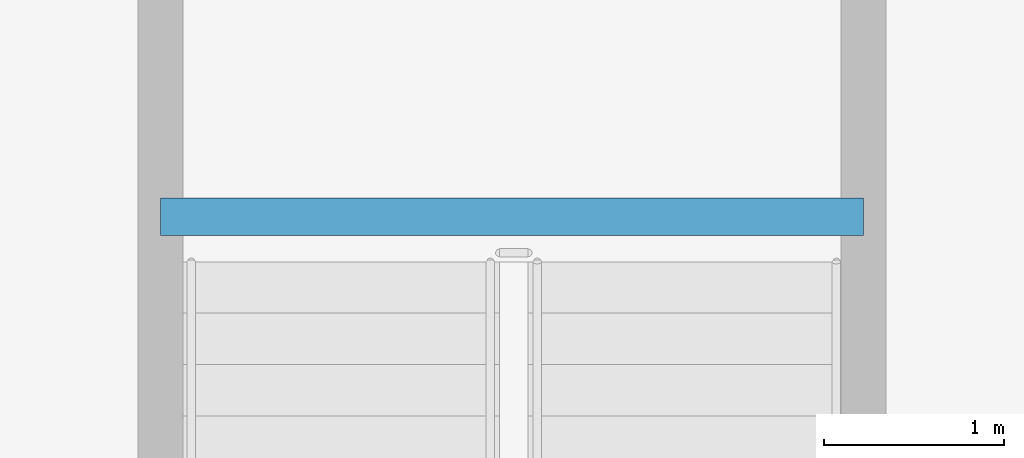
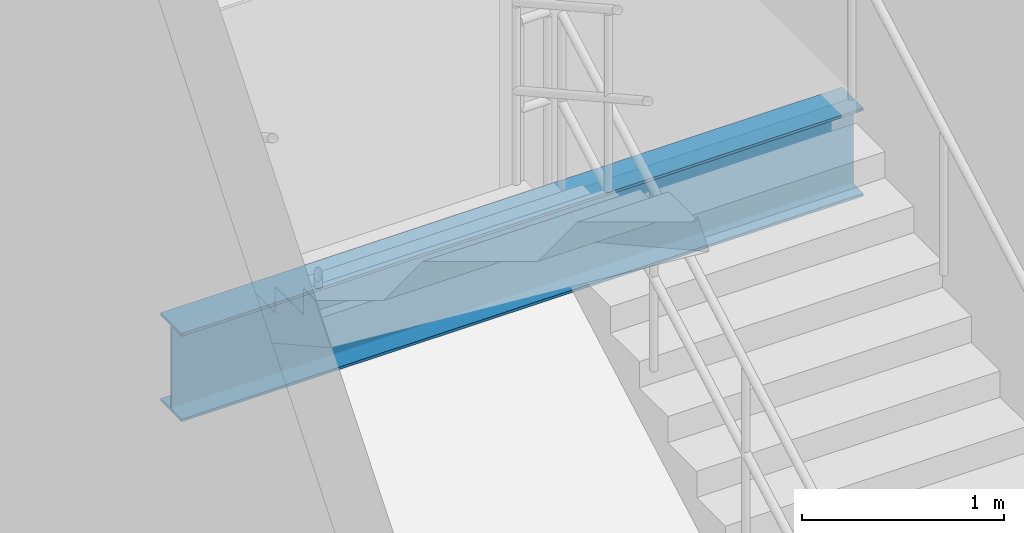
# One storey, part 21 of 87: 1 beam.
"""IFC4 building model written with IfcOpenShell, lengths in metres."""

import ifcopenshell
import ifcopenshell.guid

model = None  # the IFC model being written
_history = None  # IfcOwnerHistory: only IFC2X3 demands one
_inside = {}  # id of a spatial element -> (the spatial element, [elements in it])
_under = {}  # id of a project, library or spatial element -> (it, [spatial elements below it])
_declared = {}  # id of a project -> (the project, [libraries it declares])
_typed = {}  # id of a type object -> (the type object, [elements of that type])
_made_of = {}  # id of a material, layer set ... -> (it, [elements and type objects made of it])


def new_model(schema):
    """Start an empty IFC model of exactly this schema.

    Asked for "IFC4X3", IfcOpenShell would pick the latest addendum, in which some entities
    have other attributes; the version numbers below select the first issue.
    IFC2X3 requires an IfcOwnerHistory on every rooted entity: one is made here for all.
    """
    global model, _history
    if schema == "IFC4X3":
        model = ifcopenshell.file(schema_version=(4, 3, 0, 0))
    else:
        model = ifcopenshell.file(schema=schema)
    _inside.clear()
    _under.clear()
    _declared.clear()
    _typed.clear()
    _made_of.clear()
    _history = None
    if model.schema == "IFC2X3":
        org = make("IfcOrganization", Name="unknown")
        user = make(
            "IfcPersonAndOrganization",
            ThePerson=make("IfcPerson", FamilyName="unknown"),
            TheOrganization=org,
        )
        app = make(
            "IfcApplication",
            ApplicationDeveloper=org,
            Version="unknown",
            ApplicationFullName="unknown",
            ApplicationIdentifier="unknown",
        )
        _history = make(
            "IfcOwnerHistory",
            OwningUser=user,
            OwningApplication=app,
            ChangeAction="ADDED",
            CreationDate=0,
        )
    return model


def make(cls, **values):
    """One entity of the class cls with the attributes given. An attribute that is None is left unset."""
    return model.create_entity(
        cls, **{name: value for name, value in values.items() if value is not None}
    )


def rooted(cls, **values):
    """An entity with a GlobalId (a new one), such as an element, a storey or a relation."""
    return make(cls, GlobalId=ifcopenshell.guid.new(), OwnerHistory=_history, **values)


def si_unit(unit_type, name, prefix=None):
    """IfcSIUnit, for example si_unit("LENGTHUNIT", "METRE", prefix="MILLI")."""
    return make("IfcSIUnit", UnitType=unit_type, Prefix=prefix, Name=name)


def assignment(units):
    """IfcUnitAssignment: the units of a project."""
    return None if units is None else make("IfcUnitAssignment", Units=units)


def point(xyz):
    """IfcCartesianPoint."""
    return None if xyz is None else make("IfcCartesianPoint", Coordinates=xyz)


def direction(xyz):
    """IfcDirection."""
    return None if xyz is None else make("IfcDirection", DirectionRatios=xyz)


def frame(location, z_axis=None, x_axis=None):
    """IfcAxis2Placement3D, a coordinate frame: its origin and axes. An axis left out is left unset."""
    return make(
        "IfcAxis2Placement3D",
        Location=point(location),
        Axis=direction(z_axis),
        RefDirection=direction(x_axis),
    )


def frame_2d(location, x_axis=None):
    """IfcAxis2Placement2D, a coordinate frame in the plane: its origin and x axis."""
    return make(
        "IfcAxis2Placement2D", Location=point(location), RefDirection=direction(x_axis)
    )


def origin():
    """The frame at (0, 0, 0) with its axes left unset."""
    return frame((0.0, 0.0, 0.0))


def origin_2d():
    """The frame at (0, 0) in the plane with its x axis left unset."""
    return frame_2d((0.0, 0.0))


def place(relative_to, where):
    """IfcLocalPlacement: puts the frame where relative to a parent placement (None: the world)."""
    return make(
        "IfcLocalPlacement", PlacementRelTo=relative_to, RelativePlacement=where
    )


def context(
    kind, dimensions, precision=None, world=None, true_north=None, identifier=None
):
    """IfcGeometricRepresentationContext, for example the 3D "Model" context."""
    return make(
        "IfcGeometricRepresentationContext",
        ContextIdentifier=identifier,
        ContextType=kind,
        CoordinateSpaceDimension=dimensions,
        Precision=precision,
        WorldCoordinateSystem=world,
        TrueNorth=true_north,
    )


def subcontext(parent, identifier, kind, view, scale=None):
    """IfcGeometricRepresentationSubContext, for example "Body" below "Model"."""
    return make(
        "IfcGeometricRepresentationSubContext",
        ContextIdentifier=identifier,
        ContextType=kind,
        ParentContext=parent,
        TargetScale=scale,
        TargetView=view,
    )


def project(units=None, contexts=None):
    """IfcProject with its units and contexts."""
    return rooted(
        "IfcProject",
        Name="project",
        RepresentationContexts=contexts,
        UnitsInContext=assignment(units),
    )


def spatial(cls, under=None, at=None, **own):
    """A site, building, storey or space (cls), placed at a placement, below another one or the project."""
    s = rooted(cls, ObjectPlacement=at, **own)
    if under is not None:
        _under.setdefault(under.id(), (under, []))[1].append(s)
    return s


def profile(cls, at=None, kind="AREA", **sizes):
    """A parametric profile (cls). Its sizes go by their IFC names, for example OverallWidth=200.0."""
    return make(cls, ProfileType=kind, Position=at, **sizes)


def i_section(**sizes):
    """IfcIShapeProfileDef."""
    return profile("IfcIShapeProfileDef", **sizes)


def extrude(swept, where, along, depth):
    """IfcExtrudedAreaSolid: the profile swept, set in the frame where, extruded along a direction by depth."""
    return make(
        "IfcExtrudedAreaSolid",
        SweptArea=swept,
        Position=where,
        ExtrudedDirection=direction(along),
        Depth=depth,
    )


def shape(context_of_items, identifier, shape_type, items):
    """IfcShapeRepresentation: the items that make up one representation, for example the "Body"."""
    return make(
        "IfcShapeRepresentation",
        ContextOfItems=context_of_items,
        RepresentationIdentifier=identifier,
        RepresentationType=shape_type,
        Items=items,
    )


def material(Name=None, Category=None):
    """IfcMaterial."""
    return make("IfcMaterial", Name=Name, Category=Category)


def material_profile(
    of_material, cross_section, Name=None, Category=None, Priority=None
):
    """IfcMaterialProfile: a cross section and its material."""
    return make(
        "IfcMaterialProfile",
        Name=Name,
        Material=of_material,
        Profile=cross_section,
        Priority=Priority,
        Category=Category,
    )


def profile_set(profiles, Name=None, composite=None):
    """IfcMaterialProfileSet."""
    return make(
        "IfcMaterialProfileSet",
        Name=Name,
        MaterialProfiles=profiles,
        CompositeProfile=composite,
    )


def made_of(thing, what):
    """Note that an element or type object is made of a material, layer set ...; save() writes the relation."""
    if what is not None:
        _made_of.setdefault(what.id(), (what, []))[1].append(thing)
    return thing


def type_object(cls, material=None, **own):
    """A type object (cls), such as IfcWallType, which elements share."""
    return made_of(rooted(cls, **own), material)


def element(
    cls,
    number,
    at=None,
    inside=None,
    cuts=None,
    type_object=None,
    material=None,
    context=None,
    identifier="Body",
    shape_type=None,
    held_by="IfcProductDefinitionShape",
    body=None,
    shapes=None,
    **own,
):
    """One element of the class cls, such as IfcWall. Its Tag is "e" and its number.

    at: its placement. inside: the storey or other place that contains it. cuts: it is an
    opening in that element (IfcRelVoidsElement). A single representation is given by context,
    identifier, shape_type and body (its items); several are given by shapes. held_by: the class
    of the entity that holds the representations. save() writes the other relations.
    """
    e = rooted(cls, Tag="e%d" % number, ObjectPlacement=at, **own)
    if body is not None:
        shapes = [shape(context, identifier, shape_type, body)]
    if shapes is not None:
        e.Representation = make(held_by, Representations=shapes)
    if inside is not None:
        _inside.setdefault(inside.id(), (inside, []))[1].append(e)
    if cuts is not None:
        rooted(
            "IfcRelVoidsElement", RelatingBuildingElement=cuts, RelatedOpeningElement=e
        )
    if type_object is not None:
        _typed.setdefault(type_object.id(), (type_object, []))[1].append(e)
    return made_of(e, material)


def aggregate(whole, parts):
    """IfcRelAggregates: a whole, such as a stair, and the parts it consists of."""
    return rooted("IfcRelAggregates", RelatingObject=whole, RelatedObjects=parts)


def save(model, path):
    """Write the relations noted so far, then the file.

    IfcRelAggregates (storeys below a building ...), IfcRelContainedInSpatialStructure (elements
    in a storey), IfcRelDefinesByType, IfcRelAssociatesMaterial and IfcRelDeclares: one each for
    every whole, place, type object, material and project.
    """
    for whole, parts in _under.values():
        aggregate(whole, parts)
    for where, things in _inside.values():
        rooted(
            "IfcRelContainedInSpatialStructure",
            RelatedElements=things,
            RelatingStructure=where,
        )
    for kind, things in _typed.values():
        rooted("IfcRelDefinesByType", RelatedObjects=things, RelatingType=kind)
    for what, things in _made_of.values():
        rooted("IfcRelAssociatesMaterial", RelatedObjects=things, RelatingMaterial=what)
    for by, libraries in _declared.values():
        rooted("IfcRelDeclares", RelatingContext=by, RelatedDefinitions=libraries)
    model.write(path)


model = new_model("IFC4")

# Units and contexts
model_context = context("Model", 3, precision=1e-05, world=origin(), true_north=direction((0.0, 1.0)))
body_context = subcontext(model_context, "Body", "Model", "MODEL_VIEW")
ifc_project = project(units=[si_unit("LENGTHUNIT", "METRE"), si_unit("AREAUNIT", "SQUARE_METRE"), si_unit("VOLUMEUNIT", "CUBIC_METRE"), si_unit("PLANEANGLEUNIT", "RADIAN"), si_unit("MASSUNIT", "GRAM", prefix="KILO")], contexts=[model_context])

# Site, building, storey
site_placement = place(None, origin())
site = spatial("IfcSite", under=ifc_project, at=site_placement, CompositionType="ELEMENT")
building_placement = place(site_placement, origin())
building = spatial("IfcBuilding", under=site, at=building_placement, Name="Selat Folded Stagehouse", CompositionType="ELEMENT")
storey_placement = place(building_placement, origin())
storey = spatial("IfcBuildingStorey", under=building, at=storey_placement, Name="L00", CompositionType="ELEMENT", Elevation=0.0)

# Beam
ifc_material = material(Name="Steel S355", Category="steel")
ifc_material_profile = material_profile(ifc_material, i_section(OverallWidth=0.209228515625, OverallDepth=0.533203125, WebThickness=0.010009765625, FlangeThickness=0.015625, FilletRadius=0.0126953125, at=origin_2d()), Name="UKB 533x210x92")
ifc_profile_set = profile_set([ifc_material_profile], Name="Steel S355")
beam_type = type_object("IfcBeamType", Name="BM-GIRD-533x210x92", PredefinedType="BEAM", material=ifc_profile_set)
beam_placement = place(storey_placement, frame((24.239990234375, 13.75, 2.2333984375), z_axis=(1.0, 0.0, 0.0), x_axis=(0.0, 1.0, 0.0)))
element("IfcBeam", 1, at=beam_placement, inside=storey, type_object=beam_type, Name="L00 ST-09 landing support beam 1", PredefinedType="BEAM", context=body_context, shape_type="SweptSolid", body=[
    extrude(i_section(OverallWidth=0.209228515625, OverallDepth=0.533203125, WebThickness=0.010009765625, FlangeThickness=0.015625, FilletRadius=0.0126953125, at=origin_2d()), origin(), (0.0, 0.0, 1.0), 3.89990234375),
])

save(model, "model.ifc")
